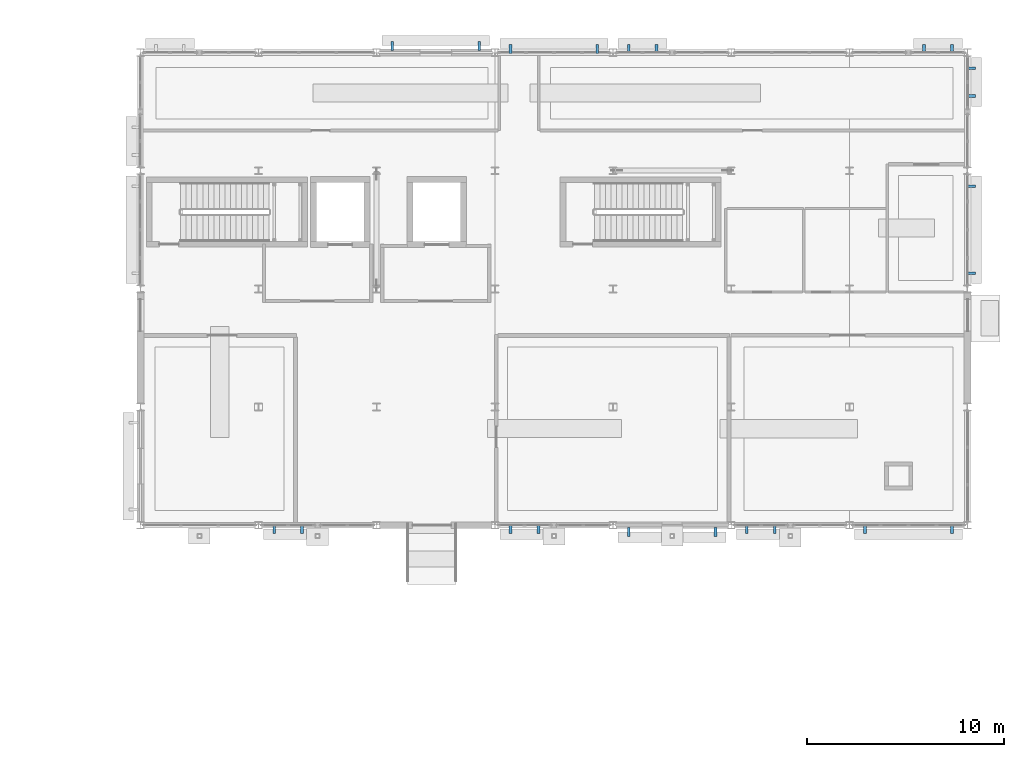
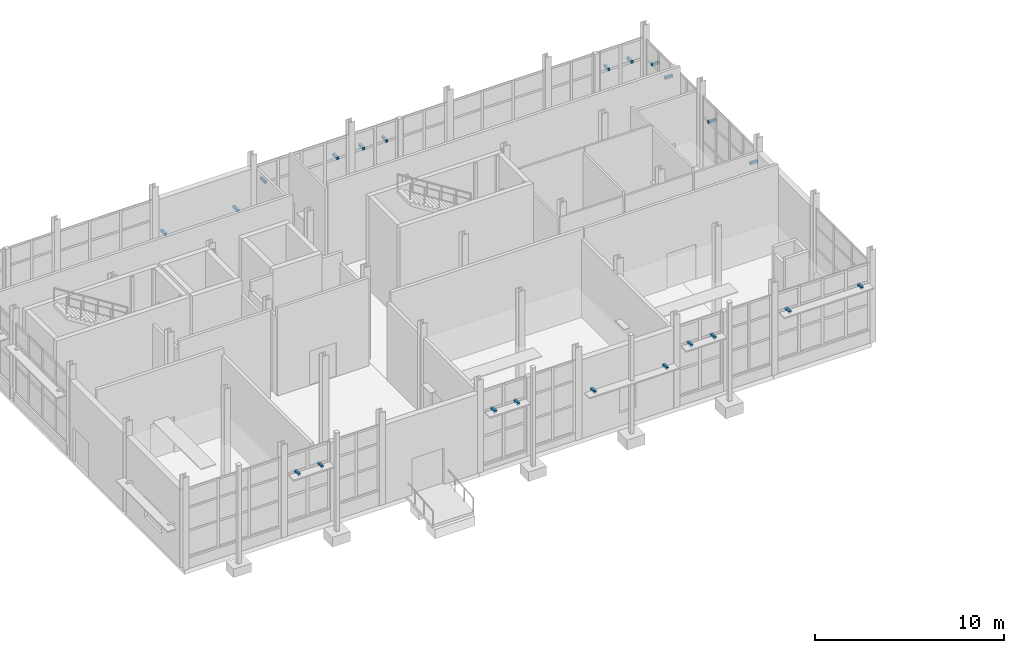
# One storey, part 109 of 120: 22 discrete accessories.
"""IFC4 building model written with IfcOpenShell, lengths in metres."""

import ifcopenshell
import ifcopenshell.guid

model = None  # the IFC model being written
_history = None  # IfcOwnerHistory: only IFC2X3 demands one
_inside = {}  # id of a spatial element -> (the spatial element, [elements in it])
_under = {}  # id of a project, library or spatial element -> (it, [spatial elements below it])
_declared = {}  # id of a project -> (the project, [libraries it declares])
_typed = {}  # id of a type object -> (the type object, [elements of that type])
_made_of = {}  # id of a material, layer set ... -> (it, [elements and type objects made of it])


def new_model(schema):
    """Start an empty IFC model of exactly this schema.

    Asked for "IFC4X3", IfcOpenShell would pick the latest addendum, in which some entities
    have other attributes; the version numbers below select the first issue.
    IFC2X3 requires an IfcOwnerHistory on every rooted entity: one is made here for all.
    """
    global model, _history
    if schema == "IFC4X3":
        model = ifcopenshell.file(schema_version=(4, 3, 0, 0))
    else:
        model = ifcopenshell.file(schema=schema)
    _inside.clear()
    _under.clear()
    _declared.clear()
    _typed.clear()
    _made_of.clear()
    _history = None
    if model.schema == "IFC2X3":
        org = make("IfcOrganization", Name="unknown")
        user = make(
            "IfcPersonAndOrganization",
            ThePerson=make("IfcPerson", FamilyName="unknown"),
            TheOrganization=org,
        )
        app = make(
            "IfcApplication",
            ApplicationDeveloper=org,
            Version="unknown",
            ApplicationFullName="unknown",
            ApplicationIdentifier="unknown",
        )
        _history = make(
            "IfcOwnerHistory",
            OwningUser=user,
            OwningApplication=app,
            ChangeAction="ADDED",
            CreationDate=0,
        )
    return model


def make(cls, **values):
    """One entity of the class cls with the attributes given. An attribute that is None is left unset."""
    return model.create_entity(
        cls, **{name: value for name, value in values.items() if value is not None}
    )


def rooted(cls, **values):
    """An entity with a GlobalId (a new one), such as an element, a storey or a relation."""
    return make(cls, GlobalId=ifcopenshell.guid.new(), OwnerHistory=_history, **values)


def si_unit(unit_type, name, prefix=None):
    """IfcSIUnit, for example si_unit("LENGTHUNIT", "METRE", prefix="MILLI")."""
    return make("IfcSIUnit", UnitType=unit_type, Prefix=prefix, Name=name)


def assignment(units):
    """IfcUnitAssignment: the units of a project."""
    return None if units is None else make("IfcUnitAssignment", Units=units)


def point(xyz):
    """IfcCartesianPoint."""
    return None if xyz is None else make("IfcCartesianPoint", Coordinates=xyz)


def direction(xyz):
    """IfcDirection."""
    return None if xyz is None else make("IfcDirection", DirectionRatios=xyz)


def frame(location, z_axis=None, x_axis=None):
    """IfcAxis2Placement3D, a coordinate frame: its origin and axes. An axis left out is left unset."""
    return make(
        "IfcAxis2Placement3D",
        Location=point(location),
        Axis=direction(z_axis),
        RefDirection=direction(x_axis),
    )


def frame_2d(location, x_axis=None):
    """IfcAxis2Placement2D, a coordinate frame in the plane: its origin and x axis."""
    return make(
        "IfcAxis2Placement2D", Location=point(location), RefDirection=direction(x_axis)
    )


def origin():
    """The frame at (0, 0, 0) with its axes left unset."""
    return frame((0.0, 0.0, 0.0))


def origin_2d():
    """The frame at (0, 0) in the plane with its x axis left unset."""
    return frame_2d((0.0, 0.0))


def place(relative_to, where):
    """IfcLocalPlacement: puts the frame where relative to a parent placement (None: the world)."""
    return make(
        "IfcLocalPlacement", PlacementRelTo=relative_to, RelativePlacement=where
    )


def context(
    kind, dimensions, precision=None, world=None, true_north=None, identifier=None
):
    """IfcGeometricRepresentationContext, for example the 3D "Model" context."""
    return make(
        "IfcGeometricRepresentationContext",
        ContextIdentifier=identifier,
        ContextType=kind,
        CoordinateSpaceDimension=dimensions,
        Precision=precision,
        WorldCoordinateSystem=world,
        TrueNorth=true_north,
    )


def subcontext(parent, identifier, kind, view, scale=None):
    """IfcGeometricRepresentationSubContext, for example "Body" below "Model"."""
    return make(
        "IfcGeometricRepresentationSubContext",
        ContextIdentifier=identifier,
        ContextType=kind,
        ParentContext=parent,
        TargetScale=scale,
        TargetView=view,
    )


def project(units=None, contexts=None):
    """IfcProject with its units and contexts."""
    return rooted(
        "IfcProject",
        Name="project",
        RepresentationContexts=contexts,
        UnitsInContext=assignment(units),
    )


def spatial(cls, under=None, at=None, **own):
    """A site, building, storey or space (cls), placed at a placement, below another one or the project."""
    s = rooted(cls, ObjectPlacement=at, **own)
    if under is not None:
        _under.setdefault(under.id(), (under, []))[1].append(s)
    return s


def profile(cls, at=None, kind="AREA", **sizes):
    """A parametric profile (cls). Its sizes go by their IFC names, for example OverallWidth=200.0."""
    return make(cls, ProfileType=kind, Position=at, **sizes)


def rectangle(**sizes):
    """IfcRectangleProfileDef."""
    return profile("IfcRectangleProfileDef", **sizes)


def extrude(swept, where, along, depth):
    """IfcExtrudedAreaSolid: the profile swept, set in the frame where, extruded along a direction by depth."""
    return make(
        "IfcExtrudedAreaSolid",
        SweptArea=swept,
        Position=where,
        ExtrudedDirection=direction(along),
        Depth=depth,
    )


def shape(context_of_items, identifier, shape_type, items):
    """IfcShapeRepresentation: the items that make up one representation, for example the "Body"."""
    return make(
        "IfcShapeRepresentation",
        ContextOfItems=context_of_items,
        RepresentationIdentifier=identifier,
        RepresentationType=shape_type,
        Items=items,
    )


def material(Name=None, Category=None):
    """IfcMaterial."""
    return make("IfcMaterial", Name=Name, Category=Category)


def made_of(thing, what):
    """Note that an element or type object is made of a material, layer set ...; save() writes the relation."""
    if what is not None:
        _made_of.setdefault(what.id(), (what, []))[1].append(thing)
    return thing


def type_object(cls, material=None, **own):
    """A type object (cls), such as IfcWallType, which elements share."""
    return made_of(rooted(cls, **own), material)


def element(
    cls,
    number,
    at=None,
    inside=None,
    cuts=None,
    type_object=None,
    material=None,
    context=None,
    identifier="Body",
    shape_type=None,
    held_by="IfcProductDefinitionShape",
    body=None,
    shapes=None,
    **own,
):
    """One element of the class cls, such as IfcWall. Its Tag is "e" and its number.

    at: its placement. inside: the storey or other place that contains it. cuts: it is an
    opening in that element (IfcRelVoidsElement). A single representation is given by context,
    identifier, shape_type and body (its items); several are given by shapes. held_by: the class
    of the entity that holds the representations. save() writes the other relations.
    """
    e = rooted(cls, Tag="e%d" % number, ObjectPlacement=at, **own)
    if body is not None:
        shapes = [shape(context, identifier, shape_type, body)]
    if shapes is not None:
        e.Representation = make(held_by, Representations=shapes)
    if inside is not None:
        _inside.setdefault(inside.id(), (inside, []))[1].append(e)
    if cuts is not None:
        rooted(
            "IfcRelVoidsElement", RelatingBuildingElement=cuts, RelatedOpeningElement=e
        )
    if type_object is not None:
        _typed.setdefault(type_object.id(), (type_object, []))[1].append(e)
    return made_of(e, material)


def aggregate(whole, parts):
    """IfcRelAggregates: a whole, such as a stair, and the parts it consists of."""
    return rooted("IfcRelAggregates", RelatingObject=whole, RelatedObjects=parts)


def save(model, path):
    """Write the relations noted so far, then the file.

    IfcRelAggregates (storeys below a building ...), IfcRelContainedInSpatialStructure (elements
    in a storey), IfcRelDefinesByType, IfcRelAssociatesMaterial and IfcRelDeclares: one each for
    every whole, place, type object, material and project.
    """
    for whole, parts in _under.values():
        aggregate(whole, parts)
    for where, things in _inside.values():
        rooted(
            "IfcRelContainedInSpatialStructure",
            RelatedElements=things,
            RelatingStructure=where,
        )
    for kind, things in _typed.values():
        rooted("IfcRelDefinesByType", RelatedObjects=things, RelatingType=kind)
    for what, things in _made_of.values():
        rooted("IfcRelAssociatesMaterial", RelatedObjects=things, RelatingMaterial=what)
    for by, libraries in _declared.values():
        rooted("IfcRelDeclares", RelatingContext=by, RelatedDefinitions=libraries)
    model.write(path)


model = new_model("IFC4")

# Units and contexts
model_context = context("Model", 3, precision=1e-05, world=origin(), true_north=direction((0.0, 1.0)))
body_context = subcontext(model_context, "Body", "Model", "MODEL_VIEW")
ifc_project = project(units=[si_unit("LENGTHUNIT", "METRE"), si_unit("AREAUNIT", "SQUARE_METRE"), si_unit("VOLUMEUNIT", "CUBIC_METRE"), si_unit("PLANEANGLEUNIT", "RADIAN"), si_unit("MASSUNIT", "GRAM", prefix="KILO")], contexts=[model_context])

# Site, building, storey
site_placement = place(None, origin())
site = spatial("IfcSite", under=ifc_project, at=site_placement, CompositionType="ELEMENT")
building_placement = place(site_placement, origin())
building = spatial("IfcBuilding", under=site, at=building_placement, Name="Siltcreek Boulevard Central Fire Station", CompositionType="ELEMENT")
storey_placement = place(building_placement, origin())
storey = spatial("IfcBuildingStorey", under=building, at=storey_placement, Name="L01", CompositionType="ELEMENT", Elevation=0.0)

# Discrete accessories
ifc_material = material(Name="Hot-dip galvanized steel facade outrigger bracket", Category="steel")
discrete_accessory_type = type_object("IfcDiscreteAccessoryType", Name="ACC_BRACKET", PredefinedType="BRACKET", material=ifc_material)
for number, where, z_axis, x_axis, name in (
    (1, (130.9951171875, 88.02001953125, 3.82568359375), (0.0, 0.0, 1.0), (1.0, 0.0, 0.0), "Galvanized sunshade support bracket BK-139"),
    (2, (132.409912109375, 88.02001953125, 3.82568359375), (0.0, 0.0, 1.0), (1.0, 0.0, 0.0), "Galvanized sunshade support bracket BK-140"),
    (3, (142.9951171875, 88.02001953125, 3.69091796875), (0.0, 0.0, 1.0), (1.0, 0.0, 0.0), "Galvanized sunshade support bracket BK-141"),
    (4, (144.409912109375, 88.02001953125, 3.69091796875), (0.0, 0.0, 1.0), (1.0, 0.0, 0.0), "Galvanized sunshade support bracket BK-142"),
    (5, (148.9951171875, 87.864990234375, 2.93994140625), (0.0, 0.0, 1.0), (1.0, 0.0, 0.0), "Galvanized sunshade support bracket BK-143"),
    (6, (153.405029296875, 87.864990234375, 2.93994140625), (0.0, 0.0, 1.0), (1.0, 0.0, 0.0), "Galvanized sunshade support bracket BK-144"),
    (7, (154.9951171875, 88.02001953125, 3.75830078125), (0.0, 0.0, 1.0), (1.0, 0.0, 0.0), "Galvanized sunshade support bracket BK-145"),
    (8, (156.409912109375, 88.02001953125, 3.75830078125), (0.0, 0.0, 1.0), (1.0, 0.0, 0.0), "Galvanized sunshade support bracket BK-146"),
    (9, (160.9951171875, 88.02001953125, 3.82568359375), (0.0, 0.0, 1.0), (1.0, 0.0, 0.0), "Galvanized sunshade support bracket BK-147"),
    (10, (165.405029296875, 88.02001953125, 3.82568359375), (0.0, 0.0, 1.0), (1.0, 0.0, 0.0), "Galvanized sunshade support bracket BK-148"),
    (11, (141.405029296875, 112.534912109375, 2.39990234375), (0.0, 0.0, 1.0), (-1.0, 0.0, 0.0), "Galvanized sunshade support bracket BK-151"),
    (12, (136.9951171875, 112.534912109375, 2.39990234375), (0.0, 0.0, 1.0), (-1.0, 0.0, 0.0), "Galvanized sunshade support bracket BK-152"),
    (13, (147.405029296875, 112.3798828125, 3.75830078125), (0.0, 0.0, 1.0), (-1.0, 0.0, 0.0), "Galvanized sunshade support bracket BK-153"),
    (14, (142.9951171875, 112.3798828125, 3.75830078125), (0.0, 0.0, 1.0), (-1.0, 0.0, 0.0), "Galvanized sunshade support bracket BK-154"),
    (15, (150.409912109375, 112.3798828125, 3.82568359375), (0.0, 0.0, 1.0), (-1.0, 0.0, 0.0), "Galvanized sunshade support bracket BK-155"),
    (16, (148.9951171875, 112.3798828125, 3.82568359375), (0.0, 0.0, 1.0), (-1.0, 0.0, 0.0), "Galvanized sunshade support bracket BK-156"),
    (17, (165.405029296875, 112.3798828125, 3.69091796875), (0.0, 0.0, 1.0), (-1.0, 0.0, 0.0), "Galvanized sunshade support bracket BK-157"),
    (18, (163.989990234375, 112.3798828125, 3.69091796875), (0.0, 0.0, 1.0), (-1.0, 0.0, 0.0), "Galvanized sunshade support bracket BK-158"),
    (19, (166.3798828125, 100.9951171875, 3.64111328125), (0.0, 0.0, 1.0), (0.0, 1.0, 0.0), "Galvanized sunshade support bracket BK-165"),
    (20, (166.3798828125, 105.405029296875, 3.64111328125), (0.0, 0.0, 1.0), (0.0, 1.0, 0.0), "Galvanized sunshade support bracket BK-166"),
    (21, (166.3798828125, 109.989990234375, 3.70849609375), (0.0, 0.0, 1.0), (0.0, 1.0, 0.0), "Galvanized sunshade support bracket BK-167"),
    (22, (166.3798828125, 111.405029296875, 3.70849609375), (0.0, 0.0, 1.0), (0.0, 1.0, 0.0), "Galvanized sunshade support bracket BK-168"),
):
    element("IfcDiscreteAccessory", number, at=place(storey_placement, frame(where, z_axis=z_axis, x_axis=x_axis)), inside=storey, type_object=discrete_accessory_type, Name=name, PredefinedType="BRACKET", context=body_context, shape_type="SweptSolid", body=[
        extrude(rectangle(XDim=0.139892578125, YDim=0.4599609375, at=origin_2d()), origin(), (0.0, 0.0, 1.0), 0.159912109375),
    ])

save(model, "model.ifc")
